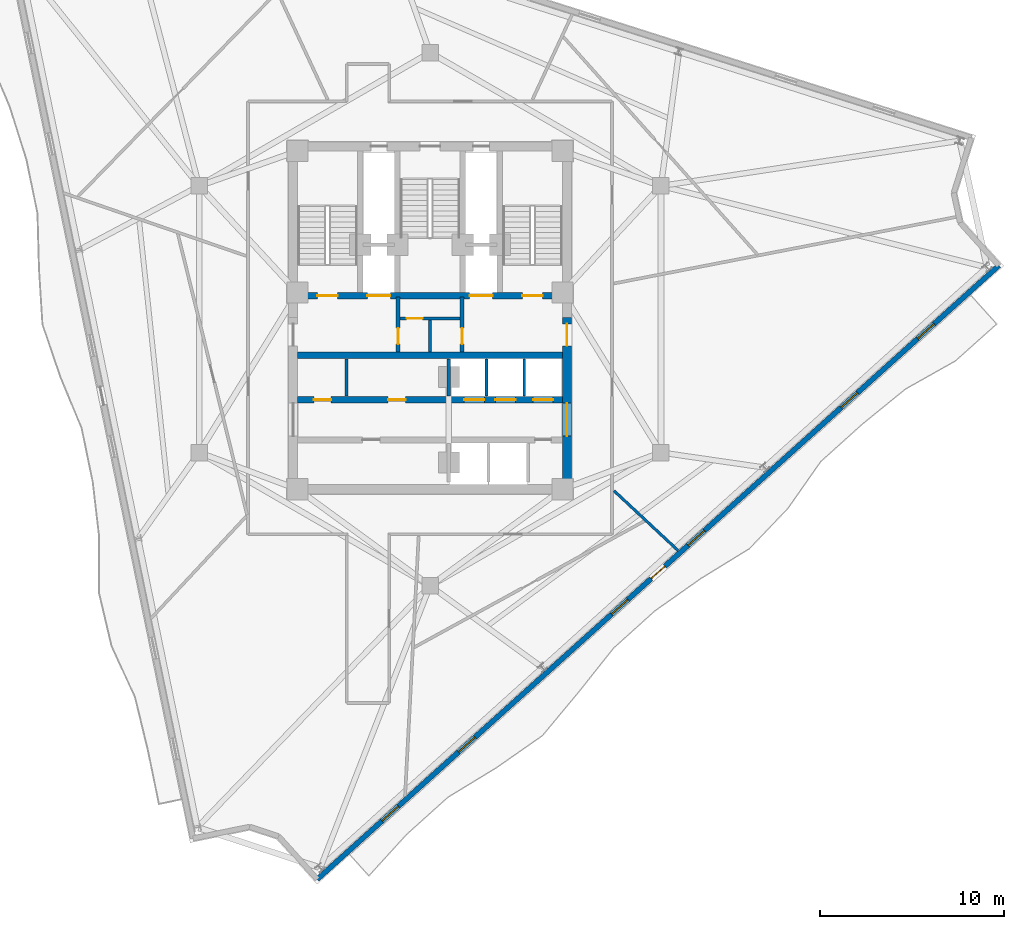
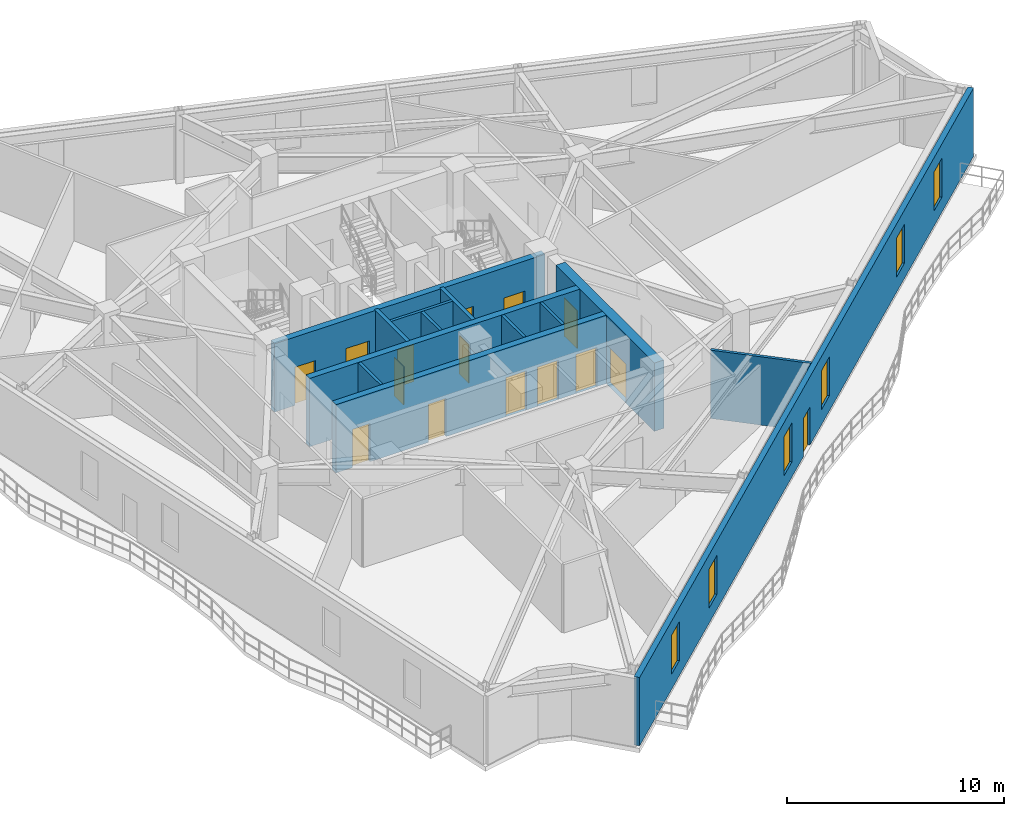
# One storey, part 6 of 11: 15 doors, 14 walls, 6 windows, 21 openings.
"""IFC4 building model written with IfcOpenShell, lengths in metres."""

from ifc_helpers import new_model, si_unit, direction, frame, frame_2d, origin, place, context, subcontext, project, spatial, rectangle, extrude, material, layer, layer_set, type_object, element, fill, save


model = new_model("IFC4")

# Units and contexts
model_context = context("Model", 3, precision=1e-05, world=origin(), true_north=direction((0.0, 1.0)))
body_context = subcontext(model_context, "Body", "Model", "MODEL_VIEW")
ifc_project = project(units=[si_unit("LENGTHUNIT", "METRE"), si_unit("AREAUNIT", "SQUARE_METRE"), si_unit("VOLUMEUNIT", "CUBIC_METRE"), si_unit("PLANEANGLEUNIT", "RADIAN"), si_unit("MASSUNIT", "GRAM", prefix="KILO")], contexts=[model_context])

# Site, building, storey
site_placement = place(None, origin())
site = spatial("IfcSite", under=ifc_project, at=site_placement, CompositionType="ELEMENT")
building_placement = place(site_placement, origin())
building = spatial("IfcBuilding", under=site, at=building_placement, Name="Apsidion Concourse Tower", CompositionType="ELEMENT")
storey_placement = place(building_placement, frame((0.0, 0.0, 244.5)))
storey = spatial("IfcBuildingStorey", under=building, at=storey_placement, Name="L57", CompositionType="ELEMENT", Elevation=244.5)

# Wall, openings, door, windows
ifc_material_1 = material(Name="Precast concrete C40/50", Category="concrete")
ifc_layer_1 = layer(ifc_material_1, 0.280029296875)
ifc_layer_set_1 = layer_set([ifc_layer_1], Name="Precast concrete C40/50")
wall_type_1 = type_object("IfcWallType", Name="WL-EXT-280", PredefinedType="STANDARD", material=ifc_layer_set_1)
wall_1_placement = place(storey_placement, frame((30.9345703125, 2.915771484375, 0.0), z_axis=(0.0, 0.0, 1.0), x_axis=(-0.743143233829, -0.66913237406, 0.0)))
wall_1 = element("IfcWall", 1, at=wall_1_placement, inside=storey, type_object=wall_type_1, Name="L57 Precast Stone Facade Wall 05", PredefinedType="STANDARD", context=body_context, shape_type="SweptSolid", body=[
    extrude(rectangle(XDim=49.8798828125, YDim=0.280029296875, at=frame_2d((24.93994140625, 0.0))), origin(), (0.0, 0.0, 1.0), 3.85009765625),
])
opening_1_placement = place(wall_1_placement, frame((24.43994140625, 0.0, 0.0)))
opening_1 = element("IfcOpeningElement", 2, at=opening_1_placement, cuts=wall_1, Name="Opening D-T1L", PredefinedType="OPENING", context=body_context, shape_type="SweptSolid", body=[
    extrude(rectangle(XDim=1.0, YDim=2.14990234375, at=frame_2d((0.5, 1.074951171875))), frame((0.0, 0.14990234375, 0.0), z_axis=(0.0, -1.0, 0.0), x_axis=(1.0, 0.0, 0.0)), (0.0, 0.0, 1.0), 0.300048828125),
])
opening_2_placement = place(wall_1_placement, frame((4.739990234375, 0.0, 0.85009765625)))
opening_2 = element("IfcOpeningElement", 3, at=opening_2_placement, cuts=wall_1, Name="Opening WN-06", PredefinedType="OPENING", context=body_context, shape_type="SweptSolid", body=[
    extrude(rectangle(XDim=1.199951171875, YDim=2.199951171875, at=frame_2d((0.60009765625, 1.10009765625))), frame((0.0, 0.14990234375, 0.0), z_axis=(0.0, -1.0, 0.0), x_axis=(1.0, 0.0, 0.0)), (0.0, 0.0, 1.0), 0.300048828125),
])
opening_3_placement = place(wall_1_placement, frame((10.33984375, 0.0, 0.85009765625)))
opening_3 = element("IfcOpeningElement", 4, at=opening_3_placement, cuts=wall_1, Name="Opening WN-06", PredefinedType="OPENING", context=body_context, shape_type="SweptSolid", body=[
    extrude(rectangle(XDim=1.199951171875, YDim=2.199951171875, at=frame_2d((0.60009765625, 1.10009765625))), frame((0.0, 0.14990234375, 0.0), z_axis=(0.0, -1.0, 0.0), x_axis=(1.0, 0.0, 0.0)), (0.0, 0.0, 1.0), 0.300048828125),
])
opening_4_placement = place(wall_1_placement, frame((21.539794921875, 0.0, 0.85009765625)))
opening_4 = element("IfcOpeningElement", 5, at=opening_4_placement, cuts=wall_1, Name="Opening WN-06", PredefinedType="OPENING", context=body_context, shape_type="SweptSolid", body=[
    extrude(rectangle(XDim=1.199951171875, YDim=2.199951171875, at=frame_2d((0.60009765625, 1.10009765625))), frame((0.0, 0.14990234375, 0.0), z_axis=(0.0, -1.0, 0.0), x_axis=(1.0, 0.0, 0.0)), (0.0, 0.0, 1.0), 0.300048828125),
])
opening_5_placement = place(wall_1_placement, frame((27.139892578125, 0.0, 0.85009765625)))
opening_5 = element("IfcOpeningElement", 6, at=opening_5_placement, cuts=wall_1, Name="Opening WN-06", PredefinedType="OPENING", context=body_context, shape_type="SweptSolid", body=[
    extrude(rectangle(XDim=1.199951171875, YDim=2.199951171875, at=frame_2d((0.60009765625, 1.10009765625))), frame((0.0, 0.14990234375, 0.0), z_axis=(0.0, -1.0, 0.0), x_axis=(1.0, 0.0, 0.0)), (0.0, 0.0, 1.0), 0.300048828125),
])
opening_6_placement = place(wall_1_placement, frame((38.33984375, 0.0, 0.85009765625)))
opening_6 = element("IfcOpeningElement", 7, at=opening_6_placement, cuts=wall_1, Name="Opening WN-06", PredefinedType="OPENING", context=body_context, shape_type="SweptSolid", body=[
    extrude(rectangle(XDim=1.199951171875, YDim=2.199951171875, at=frame_2d((0.60009765625, 1.10009765625))), frame((0.0, 0.14990234375, 0.0), z_axis=(0.0, -1.0, 0.0), x_axis=(1.0, 0.0, 0.0)), (0.0, 0.0, 1.0), 0.300048828125),
])
opening_7_placement = place(wall_1_placement, frame((43.93994140625, 0.0, 0.85009765625)))
opening_7 = element("IfcOpeningElement", 8, at=opening_7_placement, cuts=wall_1, Name="Opening WN-06", PredefinedType="OPENING", context=body_context, shape_type="SweptSolid", body=[
    extrude(rectangle(XDim=1.199951171875, YDim=2.199951171875, at=frame_2d((0.60009765625, 1.10009765625))), frame((0.0, 0.14990234375, 0.0), z_axis=(0.0, -1.0, 0.0), x_axis=(1.0, 0.0, 0.0)), (0.0, 0.0, 1.0), 0.300048828125),
])
ifc_material_2 = material(Name="Anodised aluminium EN AW-6063 T6", Category="aluminium")
door_type_1 = type_object("IfcDoorType", Name="DR-TER-1022L", OperationType="SINGLE_SWING_LEFT", PredefinedType="DOOR", material=ifc_material_2)
door_1_placement = place(opening_1_placement, origin())
door_1 = element("IfcDoor", 9, at=door_1_placement, inside=storey, type_object=door_type_1, Name="L57 Balcony Access Door 2", OperationType="SINGLE_SWING_LEFT", OverallHeight=2.14990234375, OverallWidth=1.0, PredefinedType="DOOR", context=body_context, shape_type="SweptSolid", body=[
    extrude(rectangle(XDim=1.0, YDim=2.14990234375, at=frame_2d((0.5, 1.074951171875))), frame((0.0, 0.02490234375, 0.0), z_axis=(0.0, -1.0, 0.0), x_axis=(1.0, 0.0, 0.0)), (0.0, 0.0, 1.0), 0.050048828125),
])
fill(opening_1, door_1)
ifc_material_3 = material(Name="Insulated laminated low-E glass", Category="glass")
window_type = type_object("IfcWindowType", Name="WN-OFF-1224", PartitioningType="SINGLE_PANEL", PredefinedType="WINDOW", material=ifc_material_3)
window_1_placement = place(opening_2_placement, origin())
window_1 = element("IfcWindow", 10, at=window_1_placement, inside=storey, type_object=window_type, Name="L57 Punched Facade Window 5-01", OverallHeight=2.199951171875, OverallWidth=1.199951171875, PartitioningType="SINGLE_PANEL", PredefinedType="WINDOW", context=body_context, shape_type="SweptSolid", body=[
    extrude(rectangle(XDim=1.199951171875, YDim=2.199951171875, at=frame_2d((0.60009765625, 1.10009765625))), frame((0.0, 0.030029296875, 0.0), z_axis=(0.0, -1.0, 0.0), x_axis=(1.0, 0.0, 0.0)), (0.0, 0.0, 1.0), 0.06005859375),
])
fill(opening_2, window_1)
window_2_placement = place(opening_3_placement, origin())
window_2 = element("IfcWindow", 11, at=window_2_placement, inside=storey, type_object=window_type, Name="L57 Punched Facade Window 5-02", OverallHeight=2.199951171875, OverallWidth=1.199951171875, PartitioningType="SINGLE_PANEL", PredefinedType="WINDOW", context=body_context, shape_type="SweptSolid", body=[
    extrude(rectangle(XDim=1.199951171875, YDim=2.199951171875, at=frame_2d((0.60009765625, 1.10009765625))), frame((0.0, 0.030029296875, 0.0), z_axis=(0.0, -1.0, 0.0), x_axis=(1.0, 0.0, 0.0)), (0.0, 0.0, 1.0), 0.06005859375),
])
fill(opening_3, window_2)
window_3_placement = place(opening_4_placement, origin())
window_3 = element("IfcWindow", 12, at=window_3_placement, inside=storey, type_object=window_type, Name="L57 Punched Facade Window 5-04", OverallHeight=2.199951171875, OverallWidth=1.199951171875, PartitioningType="SINGLE_PANEL", PredefinedType="WINDOW", context=body_context, shape_type="SweptSolid", body=[
    extrude(rectangle(XDim=1.199951171875, YDim=2.199951171875, at=frame_2d((0.60009765625, 1.10009765625))), frame((0.0, 0.030029296875, 0.0), z_axis=(0.0, -1.0, 0.0), x_axis=(1.0, 0.0, 0.0)), (0.0, 0.0, 1.0), 0.06005859375),
])
fill(opening_4, window_3)
window_4_placement = place(opening_5_placement, origin())
window_4 = element("IfcWindow", 13, at=window_4_placement, inside=storey, type_object=window_type, Name="L57 Punched Facade Window 5-05", OverallHeight=2.199951171875, OverallWidth=1.199951171875, PartitioningType="SINGLE_PANEL", PredefinedType="WINDOW", context=body_context, shape_type="SweptSolid", body=[
    extrude(rectangle(XDim=1.199951171875, YDim=2.199951171875, at=frame_2d((0.60009765625, 1.10009765625))), frame((0.0, 0.030029296875, 0.0), z_axis=(0.0, -1.0, 0.0), x_axis=(1.0, 0.0, 0.0)), (0.0, 0.0, 1.0), 0.06005859375),
])
fill(opening_5, window_4)
window_5_placement = place(opening_6_placement, origin())
window_5 = element("IfcWindow", 14, at=window_5_placement, inside=storey, type_object=window_type, Name="L57 Punched Facade Window 5-07", OverallHeight=2.199951171875, OverallWidth=1.199951171875, PartitioningType="SINGLE_PANEL", PredefinedType="WINDOW", context=body_context, shape_type="SweptSolid", body=[
    extrude(rectangle(XDim=1.199951171875, YDim=2.199951171875, at=frame_2d((0.60009765625, 1.10009765625))), frame((0.0, 0.030029296875, 0.0), z_axis=(0.0, -1.0, 0.0), x_axis=(1.0, 0.0, 0.0)), (0.0, 0.0, 1.0), 0.06005859375),
])
fill(opening_6, window_5)
window_6_placement = place(opening_7_placement, origin())
window_6 = element("IfcWindow", 15, at=window_6_placement, inside=storey, type_object=window_type, Name="L57 Punched Facade Window 5-08", OverallHeight=2.199951171875, OverallWidth=1.199951171875, PartitioningType="SINGLE_PANEL", PredefinedType="WINDOW", context=body_context, shape_type="SweptSolid", body=[
    extrude(rectangle(XDim=1.199951171875, YDim=2.199951171875, at=frame_2d((0.60009765625, 1.10009765625))), frame((0.0, 0.030029296875, 0.0), z_axis=(0.0, -1.0, 0.0), x_axis=(1.0, 0.0, 0.0)), (0.0, 0.0, 1.0), 0.06005859375),
])
fill(opening_7, window_6)

# Walls
ifc_material_4 = material(Name="Gypsum plasterboard partition")
ifc_layer_2 = layer(ifc_material_4, 0.14990234375)
ifc_layer_set_2 = layer_set([ifc_layer_2], Name="Gypsum plasterboard partition")
wall_type_2 = type_object("IfcWallType", Name="WL-INT-PAR-150", PredefinedType="PARTITIONING", material=ifc_layer_set_2)
for number, where, z_axis, x_axis, name in (
    (16, (-4.550048828125, -4.179931640625, 0.0), (0.0, 0.0, 1.0), (0.0, 1.0, 0.0), "L57 Interior Partition WL-L57-B1RV1"),
    (17, (3.074951171875, -4.179931640625, 0.0), (0.0, 0.0, 1.0), (0.0, 1.0, 0.0), "L57 Interior Partition WL-L57-B3DIV-1"),
    (18, (5.125, -4.179931640625, 0.0), (0.0, 0.0, 1.0), (0.0, 1.0, 0.0), "L57 Interior Partition WL-L57-B3DIV-2"),
):
    element("IfcWall", number, at=place(storey_placement, frame(where, z_axis=z_axis, x_axis=x_axis)), inside=storey, type_object=wall_type_2, Name=name, PredefinedType="PARTITIONING", context=body_context, shape_type="SweptSolid", body=[
        extrude(rectangle(XDim=2.030029296875, YDim=0.14990234375, at=frame_2d((1.01513671875, 0.0))), origin(), (0.0, 0.0, 1.0), 3.85009765625),
    ])

# Wall, opening, door
wall_2_placement = place(storey_placement, frame((-1.639892578125, 0.0400390625, 0.0), z_axis=(0.0, 0.0, 1.0), x_axis=(1.0, 0.0, 0.0)))
wall_2 = element("IfcWall", 19, at=wall_2_placement, inside=storey, type_object=wall_type_2, Name="L57 Interior Partition WL-L57-K4H", PredefinedType="PARTITIONING", context=body_context, shape_type="SweptSolid", body=[
    extrude(rectangle(XDim=3.27978515625, YDim=0.14990234375, at=frame_2d((1.639892578125, 0.0))), origin(), (0.0, 0.0, 1.0), 3.85009765625),
])
opening_8_placement = place(wall_2_placement, frame((0.360107421875, 0.0, 0.0)))
opening_8 = element("IfcOpeningElement", 20, at=opening_8_placement, cuts=wall_2, Name="Opening D-03L", PredefinedType="OPENING", context=body_context, shape_type="SweptSolid", body=[
    extrude(rectangle(XDim=0.8798828125, YDim=2.10009765625, at=frame_2d((0.43994140625, 1.050048828125))), frame((0.0, 0.0849609375, 0.0), z_axis=(0.0, -1.0, 0.0), x_axis=(1.0, 0.0, 0.0)), (0.0, 0.0, 1.0), 0.169921875),
])
door_type_2 = type_object("IfcDoorType", Name="DR-INT-D03L", OperationType="SINGLE_SWING_LEFT", PredefinedType="DOOR", material=ifc_material_2)
door_2_placement = place(opening_8_placement, origin())
door_2 = element("IfcDoor", 21, at=door_2_placement, inside=storey, type_object=door_type_2, Name="L57 Core Telecoms Door", OperationType="SINGLE_SWING_LEFT", OverallHeight=2.10009765625, OverallWidth=0.8798828125, PredefinedType="DOOR", context=body_context, shape_type="SweptSolid", body=[
    extrude(rectangle(XDim=0.8798828125, YDim=2.10009765625, at=frame_2d((0.43994140625, 1.050048828125))), frame((0.0, 0.02490234375, 0.0), z_axis=(0.0, -1.0, 0.0), x_axis=(1.0, 0.0, 0.0)), (0.0, 0.0, 1.0), 0.050048828125),
])
fill(opening_8, door_2)

# Walls
wall_3_placement = place(storey_placement, frame((0.0, -1.780029296875, 0.0), z_axis=(0.0, 0.0, 1.0), x_axis=(0.0, 1.0, 0.0)))
element("IfcWall", 22, at=wall_3_placement, inside=storey, type_object=wall_type_2, Name="L57 Interior Partition WL-L57-K4V", PredefinedType="PARTITIONING", context=body_context, shape_type="SweptSolid", body=[
    extrude(rectangle(XDim=1.72998046875, YDim=0.14990234375, at=frame_2d((0.864990234375, 0.0))), origin(), (0.0, 0.0, 1.0), 3.85009765625),
])
wall_4_placement = place(storey_placement, frame((10.0048828125, -9.329833984375, 0.0), z_axis=(0.0, 0.0, 1.0), x_axis=(0.731358310886, -0.681993417195, 0.0)))
element("IfcWall", 23, at=wall_4_placement, inside=storey, type_object=wall_type_2, Name="L57 Interior Partition WL-L57-RAD-07-1", PredefinedType="PARTITIONING", context=body_context, shape_type="SweptSolid", body=[
    extrude(rectangle(XDim=4.767578125, YDim=0.14990234375, at=frame_2d((2.3837890625, 0.0))), origin(), (0.0, 0.0, 1.0), 3.85009765625),
])
ifc_layer_3 = layer(ifc_material_4, 0.179931640625)
ifc_layer_set_3 = layer_set([ifc_layer_3], Name="Gypsum plasterboard partition")
wall_type_3 = type_object("IfcWallType", Name="WL-INT-PAR-180", PredefinedType="PARTITIONING", material=ifc_layer_set_3)
wall_5_placement = place(storey_placement, frame((1.02490234375, -4.179931640625, 0.0), z_axis=(0.0, 0.0, 1.0), x_axis=(0.0, 1.0, 0.0)))
element("IfcWall", 24, at=wall_5_placement, inside=storey, type_object=wall_type_3, Name="L57 Interior Partition WL-L57-B1END", PredefinedType="PARTITIONING", context=body_context, shape_type="SweptSolid", body=[
    extrude(rectangle(XDim=2.030029296875, YDim=0.179931640625, at=frame_2d((1.01513671875, 0.0))), origin(), (0.0, 0.0, 1.0), 2.89794921875),
])

# Wall, opening, door
ifc_layer_4 = layer(ifc_material_4, 0.199951171875)
ifc_layer_set_4 = layer_set([ifc_layer_4], Name="Gypsum plasterboard partition")
wall_type_4 = type_object("IfcWallType", Name="WL-INT-PAR-200", PredefinedType="PARTITIONING", material=ifc_layer_set_4)
wall_6_placement = place(storey_placement, frame((-1.739990234375, -1.780029296875, 0.0), z_axis=(0.0, 0.0, 1.0), x_axis=(0.0, 1.0, 0.0)))
wall_6 = element("IfcWall", 25, at=wall_6_placement, inside=storey, type_object=wall_type_4, Name="L57 Interior Partition WL-L57-FF1-E", PredefinedType="PARTITIONING", context=body_context, shape_type="SweptSolid", body=[
    extrude(rectangle(XDim=2.97998046875, YDim=0.199951171875, at=frame_2d((1.489990234375, 0.0))), origin(), (0.0, 0.0, 1.0), 3.85009765625),
])
opening_9_placement = place(wall_6_placement, frame((0.419921875, 0.0, 0.0)))
opening_9 = element("IfcOpeningElement", 26, at=opening_9_placement, cuts=wall_6, Name="Opening D-05R", PredefinedType="OPENING", context=body_context, shape_type="SweptSolid", body=[
    extrude(rectangle(XDim=0.8798828125, YDim=2.14990234375, at=frame_2d((0.43994140625, 1.074951171875))), frame((0.0, 0.10986328125, 0.0), z_axis=(0.0, -1.0, 0.0), x_axis=(1.0, 0.0, 0.0)), (0.0, 0.0, 1.0), 0.219970703125),
])
ifc_material_5 = material(Name="Brushed stainless steel 316", Category="steel")
door_type_3 = type_object("IfcDoorType", Name="DR-INT-D05R", OperationType="SINGLE_SWING_RIGHT", PredefinedType="DOOR", material=ifc_material_5)
door_3_placement = place(opening_9_placement, origin())
door_3 = element("IfcDoor", 27, at=door_3_placement, inside=storey, type_object=door_type_3, Name="L57 Core Switch Room Door", OperationType="SINGLE_SWING_RIGHT", OverallHeight=2.14990234375, OverallWidth=0.8798828125, PredefinedType="DOOR", context=body_context, shape_type="SweptSolid", body=[
    extrude(rectangle(XDim=0.8798828125, YDim=2.14990234375, at=frame_2d((0.43994140625, 1.074951171875))), frame((0.0, 0.02490234375, 0.0), z_axis=(0.0, -1.0, 0.0), x_axis=(1.0, 0.0, 0.0)), (0.0, 0.0, 1.0), 0.050048828125),
])
fill(opening_9, door_3)

wall_7_placement = place(storey_placement, frame((1.739990234375, -1.780029296875, 0.0), z_axis=(0.0, 0.0, 1.0), x_axis=(0.0, 1.0, 0.0)))
wall_7 = element("IfcWall", 28, at=wall_7_placement, inside=storey, type_object=wall_type_4, Name="L57 Interior Partition WL-L57-FF2-W", PredefinedType="PARTITIONING", context=body_context, shape_type="SweptSolid", body=[
    extrude(rectangle(XDim=2.97998046875, YDim=0.199951171875, at=frame_2d((1.489990234375, 0.0))), origin(), (0.0, 0.0, 1.0), 3.85009765625),
])
opening_10_placement = place(wall_7_placement, frame((0.419921875, 0.0, 0.0)))
opening_10 = element("IfcOpeningElement", 29, at=opening_10_placement, cuts=wall_7, Name="Opening D-05L", PredefinedType="OPENING", context=body_context, shape_type="SweptSolid", body=[
    extrude(rectangle(XDim=0.8798828125, YDim=2.14990234375, at=frame_2d((0.43994140625, 1.074951171875))), frame((0.0, 0.10986328125, 0.0), z_axis=(0.0, -1.0, 0.0), x_axis=(1.0, 0.0, 0.0)), (0.0, 0.0, 1.0), 0.219970703125),
])
door_type_4 = type_object("IfcDoorType", Name="DR-INT-D05L", OperationType="SINGLE_SWING_LEFT", PredefinedType="DOOR", material=ifc_material_5)
door_4_placement = place(opening_10_placement, origin())
door_4 = element("IfcDoor", 30, at=door_4_placement, inside=storey, type_object=door_type_4, Name="L57 Core First Aid Door", OperationType="SINGLE_SWING_LEFT", OverallHeight=2.14990234375, OverallWidth=0.8798828125, PredefinedType="DOOR", context=body_context, shape_type="SweptSolid", body=[
    extrude(rectangle(XDim=0.8798828125, YDim=2.14990234375, at=frame_2d((0.43994140625, 1.074951171875))), frame((0.0, 0.02490234375, 0.0), z_axis=(0.0, -1.0, 0.0), x_axis=(1.0, 0.0, 0.0)), (0.0, 0.0, 1.0), 0.050048828125),
])
fill(opening_10, door_4)

# Wall, openings, doors
ifc_material_6 = material(Name="Concrete C50/60", Category="concrete")
ifc_layer_5 = layer(ifc_material_6, 0.35009765625)
ifc_layer_set_5 = layer_set([ifc_layer_5], Name="Concrete C50/60")
wall_type_5 = type_object("IfcWallType", Name="WL-SH-350", PredefinedType="SHEAR", material=ifc_layer_set_5)
wall_8_placement = place(storey_placement, frame((-7.199951171875, 1.27490234375, 0.0), z_axis=(0.0, 0.0, 1.0), x_axis=(1.0, 0.0, 0.0)))
wall_8 = element("IfcWall", 31, at=wall_8_placement, inside=storey, type_object=wall_type_5, Name="L57 Central Core Shear Wall M1", PredefinedType="SHEAR", context=body_context, shape_type="SweptSolid", body=[
    extrude(rectangle(XDim=14.39990234375, YDim=0.35009765625, at=frame_2d((7.199951171875, 0.0))), origin(), (0.0, 0.0, 1.0), 3.85009765625),
])
opening_11_placement = place(wall_8_placement, frame((3.794921875, 0.0, 0.0)))
opening_11 = element("IfcOpeningElement", 32, at=opening_11_placement, cuts=wall_8, Name="Opening LD-FF", PredefinedType="OPENING", context=body_context, shape_type="SweptSolid", body=[
    extrude(rectangle(XDim=1.25, YDim=2.25, at=frame_2d((0.625, 1.125))), frame((0.0, 0.18505859375, 0.0), z_axis=(0.0, -1.0, 0.0), x_axis=(1.0, 0.0, 0.0)), (0.0, 0.0, 1.0), 0.3701171875),
])
opening_12_placement = place(wall_8_placement, frame((9.35498046875, 0.0, 0.0)))
opening_12 = element("IfcOpeningElement", 33, at=opening_12_placement, cuts=wall_8, Name="Opening LD-FF", PredefinedType="OPENING", context=body_context, shape_type="SweptSolid", body=[
    extrude(rectangle(XDim=1.25, YDim=2.25, at=frame_2d((0.625, 1.125))), frame((0.0, 0.18505859375, 0.0), z_axis=(0.0, -1.0, 0.0), x_axis=(1.0, 0.0, 0.0)), (0.0, 0.0, 1.0), 0.3701171875),
])
opening_13_placement = place(wall_8_placement, frame((1.074951171875, 0.0, 0.0)))
opening_13 = element("IfcOpeningElement", 34, at=opening_13_placement, cuts=wall_8, Name="Opening D-STL", PredefinedType="OPENING", context=body_context, shape_type="SweptSolid", body=[
    extrude(rectangle(XDim=1.10009765625, YDim=2.14990234375, at=frame_2d((0.550048828125, 1.074951171875))), frame((0.0, 0.18505859375, 0.0), z_axis=(0.0, -1.0, 0.0), x_axis=(1.0, 0.0, 0.0)), (0.0, 0.0, 1.0), 0.3701171875),
])
opening_14_placement = place(wall_8_placement, frame((12.22509765625, 0.0, 0.0)))
opening_14 = element("IfcOpeningElement", 35, at=opening_14_placement, cuts=wall_8, Name="Opening D-STR", PredefinedType="OPENING", context=body_context, shape_type="SweptSolid", body=[
    extrude(rectangle(XDim=1.10009765625, YDim=2.14990234375, at=frame_2d((0.550048828125, 1.074951171875))), frame((0.0, 0.18505859375, 0.0), z_axis=(0.0, -1.0, 0.0), x_axis=(1.0, 0.0, 0.0)), (0.0, 0.0, 1.0), 0.3701171875),
])
door_type_5 = type_object("IfcDoorType", Name="DR-INT-ST1L", OperationType="SINGLE_SWING_LEFT", PredefinedType="DOOR", material=ifc_material_5)
door_5_placement = place(opening_13_placement, origin())
door_5 = element("IfcDoor", 36, at=door_5_placement, inside=storey, type_object=door_type_5, Name="L57 Core Exit Stair ST1 Door", OperationType="SINGLE_SWING_LEFT", OverallHeight=2.14990234375, OverallWidth=1.10009765625, PredefinedType="DOOR", context=body_context, shape_type="SweptSolid", body=[
    extrude(rectangle(XDim=1.10009765625, YDim=2.14990234375, at=frame_2d((0.550048828125, 1.074951171875))), frame((0.0, 0.02490234375, 0.0), z_axis=(0.0, -1.0, 0.0), x_axis=(1.0, 0.0, 0.0)), (0.0, 0.0, 1.0), 0.050048828125),
])
fill(opening_13, door_5)
door_type_6 = type_object("IfcDoorType", Name="DR-INT-ST1R", OperationType="SINGLE_SWING_RIGHT", PredefinedType="DOOR", material=ifc_material_5)
door_6_placement = place(opening_14_placement, origin())
door_6 = element("IfcDoor", 37, at=door_6_placement, inside=storey, type_object=door_type_6, Name="L57 Core Exit Stair ST2 Door", OperationType="SINGLE_SWING_RIGHT", OverallHeight=2.14990234375, OverallWidth=1.10009765625, PredefinedType="DOOR", context=body_context, shape_type="SweptSolid", body=[
    extrude(rectangle(XDim=1.10009765625, YDim=2.14990234375, at=frame_2d((0.550048828125, 1.074951171875))), frame((0.0, 0.02490234375, 0.0), z_axis=(0.0, -1.0, 0.0), x_axis=(1.0, 0.0, 0.0)), (0.0, 0.0, 1.0), 0.050048828125),
])
fill(opening_14, door_6)
door_type_7 = type_object("IfcDoorType", Name="DR-LD-FSAE", OperationType="DOUBLE_DOOR_SLIDING", PredefinedType="DOOR", material=ifc_material_5)
door_7_placement = place(opening_11_placement, origin())
door_7 = element("IfcDoor", 38, at=door_7_placement, inside=storey, type_object=door_type_7, Name="L57 Lift Landing Door FF1", OperationType="DOUBLE_DOOR_SLIDING", OverallHeight=2.25, OverallWidth=1.25, PredefinedType="DOOR", context=body_context, shape_type="SweptSolid", body=[
    extrude(rectangle(XDim=1.25, YDim=2.25, at=frame_2d((0.625, 1.125))), frame((0.0, 0.02490234375, 0.0), z_axis=(0.0, -1.0, 0.0), x_axis=(1.0, 0.0, 0.0)), (0.0, 0.0, 1.0), 0.050048828125),
])
fill(opening_11, door_7)
door_8_placement = place(opening_12_placement, origin())
door_8 = element("IfcDoor", 39, at=door_8_placement, inside=storey, type_object=door_type_7, Name="L57 Lift Landing Door FF2", OperationType="DOUBLE_DOOR_SLIDING", OverallHeight=2.25, OverallWidth=1.25, PredefinedType="DOOR", context=body_context, shape_type="SweptSolid", body=[
    extrude(rectangle(XDim=1.25, YDim=2.25, at=frame_2d((0.625, 1.125))), frame((0.0, 0.02490234375, 0.0), z_axis=(0.0, -1.0, 0.0), x_axis=(1.0, 0.0, 0.0)), (0.0, 0.0, 1.0), 0.050048828125),
])
fill(opening_12, door_8)

# Wall
wall_9_placement = place(storey_placement, frame((-7.199951171875, -1.949951171875, 0.0), z_axis=(0.0, 0.0, 1.0), x_axis=(1.0, 0.0, 0.0)))
element("IfcWall", 40, at=wall_9_placement, inside=storey, type_object=wall_type_5, Name="L57 Central Core Shear Wall M2", PredefinedType="SHEAR", context=body_context, shape_type="SweptSolid", body=[
    extrude(rectangle(XDim=14.39990234375, YDim=0.35009765625, at=frame_2d((7.199951171875, 0.0))), origin(), (0.0, 0.0, 1.0), 3.85009765625),
])

# Wall, openings, doors
wall_10_placement = place(storey_placement, frame((-7.199951171875, -4.3798828125, 0.0), z_axis=(0.0, 0.0, 1.0), x_axis=(1.0, 0.0, 0.0)))
wall_10 = element("IfcWall", 41, at=wall_10_placement, inside=storey, type_object=wall_type_5, Name="L57 Central Core Shear Wall LA", PredefinedType="SHEAR", context=body_context, shape_type="SweptSolid", body=[
    extrude(rectangle(XDim=14.39990234375, YDim=0.35009765625, at=frame_2d((7.199951171875, 0.0))), origin(), (0.0, 0.0, 1.0), 3.85009765625),
])
opening_15_placement = place(wall_10_placement, frame((9.050048828125, 0.0, 0.0)))
opening_15 = element("IfcOpeningElement", 42, at=opening_15_placement, cuts=wall_10, Name="Opening LD-P1", PredefinedType="OPENING", context=body_context, shape_type="SweptSolid", body=[
    extrude(rectangle(XDim=1.10009765625, YDim=2.199951171875, at=frame_2d((0.550048828125, 1.10009765625))), frame((0.0, 0.18505859375, 0.0), z_axis=(0.0, -1.0, 0.0), x_axis=(1.0, 0.0, 0.0)), (0.0, 0.0, 1.0), 0.3701171875),
])
opening_16_placement = place(wall_10_placement, frame((10.75, 0.0, 0.0)))
opening_16 = element("IfcOpeningElement", 43, at=opening_16_placement, cuts=wall_10, Name="Opening LD-P1", PredefinedType="OPENING", context=body_context, shape_type="SweptSolid", body=[
    extrude(rectangle(XDim=1.10009765625, YDim=2.199951171875, at=frame_2d((0.550048828125, 1.10009765625))), frame((0.0, 0.18505859375, 0.0), z_axis=(0.0, -1.0, 0.0), x_axis=(1.0, 0.0, 0.0)), (0.0, 0.0, 1.0), 0.3701171875),
])
opening_17_placement = place(wall_10_placement, frame((12.800048828125, 0.0, 0.0)))
opening_17 = element("IfcOpeningElement", 44, at=opening_17_placement, cuts=wall_10, Name="Opening LD-P1", PredefinedType="OPENING", context=body_context, shape_type="SweptSolid", body=[
    extrude(rectangle(XDim=1.10009765625, YDim=2.199951171875, at=frame_2d((0.550048828125, 1.10009765625))), frame((0.0, 0.18505859375, 0.0), z_axis=(0.0, -1.0, 0.0), x_axis=(1.0, 0.0, 0.0)), (0.0, 0.0, 1.0), 0.3701171875),
])
opening_18_placement = place(wall_10_placement, frame((0.875, 0.0, 0.0)))
opening_18 = element("IfcOpeningElement", 45, at=opening_18_placement, cuts=wall_10, Name="Opening D-04L", PredefinedType="OPENING", context=body_context, shape_type="SweptSolid", body=[
    extrude(rectangle(XDim=0.949951171875, YDim=2.14990234375, at=frame_2d((0.47509765625, 1.074951171875))), frame((0.0, 0.18505859375, 0.0), z_axis=(0.0, -1.0, 0.0), x_axis=(1.0, 0.0, 0.0)), (0.0, 0.0, 1.0), 0.3701171875),
])
opening_19_placement = place(wall_10_placement, frame((4.925048828125, 0.0, 0.0)))
opening_19 = element("IfcOpeningElement", 46, at=opening_19_placement, cuts=wall_10, Name="Opening D-04R", PredefinedType="OPENING", context=body_context, shape_type="SweptSolid", body=[
    extrude(rectangle(XDim=0.949951171875, YDim=2.14990234375, at=frame_2d((0.47509765625, 1.074951171875))), frame((0.0, 0.18505859375, 0.0), z_axis=(0.0, -1.0, 0.0), x_axis=(1.0, 0.0, 0.0)), (0.0, 0.0, 1.0), 0.3701171875),
])
door_type_8 = type_object("IfcDoorType", Name="DR-INT-D04L", OperationType="SINGLE_SWING_LEFT", PredefinedType="DOOR", material=ifc_material_5)
door_9_placement = place(opening_18_placement, origin())
door_9 = element("IfcDoor", 47, at=door_9_placement, inside=storey, type_object=door_type_8, Name="L57 Core Supply Store Door", OperationType="SINGLE_SWING_LEFT", OverallHeight=2.14990234375, OverallWidth=0.949951171875, PredefinedType="DOOR", context=body_context, shape_type="SweptSolid", body=[
    extrude(rectangle(XDim=0.949951171875, YDim=2.14990234375, at=frame_2d((0.47509765625, 1.074951171875))), frame((0.0, 0.02490234375, 0.0), z_axis=(0.0, -1.0, 0.0), x_axis=(1.0, 0.0, 0.0)), (0.0, 0.0, 1.0), 0.050048828125),
])
fill(opening_18, door_9)
door_type_9 = type_object("IfcDoorType", Name="DR-INT-D04R", OperationType="SINGLE_SWING_RIGHT", PredefinedType="DOOR", material=ifc_material_5)
door_10_placement = place(opening_19_placement, origin())
door_10 = element("IfcDoor", 48, at=door_10_placement, inside=storey, type_object=door_type_9, Name="L57 Core Data and Print Room Door", OperationType="SINGLE_SWING_RIGHT", OverallHeight=2.14990234375, OverallWidth=0.949951171875, PredefinedType="DOOR", context=body_context, shape_type="SweptSolid", body=[
    extrude(rectangle(XDim=0.949951171875, YDim=2.14990234375, at=frame_2d((0.47509765625, 1.074951171875))), frame((0.0, 0.02490234375, 0.0), z_axis=(0.0, -1.0, 0.0), x_axis=(1.0, 0.0, 0.0)), (0.0, 0.0, 1.0), 0.050048828125),
])
fill(opening_19, door_10)
door_type_10 = type_object("IfcDoorType", Name="DR-LD-PASS", OperationType="DOUBLE_DOOR_SLIDING", PredefinedType="DOOR", material=ifc_material_5)
door_11_placement = place(opening_15_placement, origin())
door_11 = element("IfcDoor", 49, at=door_11_placement, inside=storey, type_object=door_type_10, Name="L57 Lift Landing Door P9", OperationType="DOUBLE_DOOR_SLIDING", OverallHeight=2.199951171875, OverallWidth=1.10009765625, PredefinedType="DOOR", context=body_context, shape_type="SweptSolid", body=[
    extrude(rectangle(XDim=1.10009765625, YDim=2.199951171875, at=frame_2d((0.550048828125, 1.10009765625))), frame((0.0, 0.02490234375, 0.0), z_axis=(0.0, -1.0, 0.0), x_axis=(1.0, 0.0, 0.0)), (0.0, 0.0, 1.0), 0.050048828125),
])
fill(opening_15, door_11)
door_12_placement = place(opening_16_placement, origin())
door_12 = element("IfcDoor", 50, at=door_12_placement, inside=storey, type_object=door_type_10, Name="L57 Lift Landing Door P10", OperationType="DOUBLE_DOOR_SLIDING", OverallHeight=2.199951171875, OverallWidth=1.10009765625, PredefinedType="DOOR", context=body_context, shape_type="SweptSolid", body=[
    extrude(rectangle(XDim=1.10009765625, YDim=2.199951171875, at=frame_2d((0.550048828125, 1.10009765625))), frame((0.0, 0.02490234375, 0.0), z_axis=(0.0, -1.0, 0.0), x_axis=(1.0, 0.0, 0.0)), (0.0, 0.0, 1.0), 0.050048828125),
])
fill(opening_16, door_12)
door_13_placement = place(opening_17_placement, origin())
door_13 = element("IfcDoor", 51, at=door_13_placement, inside=storey, type_object=door_type_10, Name="L57 Lift Landing Door P11", OperationType="DOUBLE_DOOR_SLIDING", OverallHeight=2.199951171875, OverallWidth=1.10009765625, PredefinedType="DOOR", context=body_context, shape_type="SweptSolid", body=[
    extrude(rectangle(XDim=1.10009765625, YDim=2.199951171875, at=frame_2d((0.550048828125, 1.10009765625))), frame((0.0, 0.02490234375, 0.0), z_axis=(0.0, -1.0, 0.0), x_axis=(1.0, 0.0, 0.0)), (0.0, 0.0, 1.0), 0.050048828125),
])
fill(opening_17, door_13)

ifc_layer_6 = layer(ifc_material_6, 0.5)
ifc_layer_set_6 = layer_set([ifc_layer_6], Name="Concrete C50/60")
wall_type_6 = type_object("IfcWallType", Name="WL-SH-500", PredefinedType="SHEAR", material=ifc_layer_set_6)
wall_11_placement = place(storey_placement, frame((7.449951171875, -9.0, 0.0), z_axis=(0.0, 0.0, 1.0), x_axis=(0.0, 1.0, 0.0)))
wall_11 = element("IfcWall", 52, at=wall_11_placement, inside=storey, type_object=wall_type_6, Name="L57 Central Core Shear Wall ES", PredefinedType="SHEAR", context=body_context, shape_type="SweptSolid", body=[
    extrude(rectangle(XDim=9.10009765625, YDim=0.5, at=frame_2d((4.550048828125, 0.0))), origin(), (0.0, 0.0, 1.0), 3.85009765625),
])
opening_20_placement = place(wall_11_placement, frame((2.639892578125, 0.0, 0.0)))
opening_20 = element("IfcOpeningElement", 53, at=opening_20_placement, cuts=wall_11, Name="Opening D-06D", PredefinedType="OPENING", context=body_context, shape_type="SweptSolid", body=[
    extrude(rectangle(XDim=1.800048828125, YDim=2.199951171875, at=frame_2d((0.89990234375, 1.10009765625))), frame((0.0, 0.260009765625, 0.0), z_axis=(0.0, -1.0, 0.0), x_axis=(1.0, 0.0, 0.0)), (0.0, 0.0, 1.0), 0.52001953125),
])
opening_21_placement = place(wall_11_placement, frame((7.550048828125, 0.0, 0.0)))
opening_21 = element("IfcOpeningElement", 54, at=opening_21_placement, cuts=wall_11, Name="Opening D-FFR", PredefinedType="OPENING", context=body_context, shape_type="SweptSolid", body=[
    extrude(rectangle(XDim=1.199951171875, YDim=2.14990234375, at=frame_2d((0.60009765625, 1.074951171875))), frame((0.0, 0.260009765625, 0.0), z_axis=(0.0, -1.0, 0.0), x_axis=(1.0, 0.0, 0.0)), (0.0, 0.0, 1.0), 0.52001953125),
])
door_type_11 = type_object("IfcDoorType", Name="DR-INT-D06D", OperationType="DOUBLE_DOOR_SINGLE_SWING", PredefinedType="DOOR", material=ifc_material_5)
door_14_placement = place(opening_20_placement, origin())
door_14 = element("IfcDoor", 55, at=door_14_placement, inside=storey, type_object=door_type_11, Name="L57 Passenger Lift Lobby ES Portal Door", OperationType="DOUBLE_DOOR_SINGLE_SWING", OverallHeight=2.199951171875, OverallWidth=1.800048828125, PredefinedType="DOOR", context=body_context, shape_type="SweptSolid", body=[
    extrude(rectangle(XDim=1.800048828125, YDim=2.199951171875, at=frame_2d((0.89990234375, 1.10009765625))), frame((0.0, 0.02490234375, 0.0), z_axis=(0.0, -1.0, 0.0), x_axis=(1.0, 0.0, 0.0)), (0.0, 0.0, 1.0), 0.050048828125),
])
fill(opening_20, door_14)
door_type_12 = type_object("IfcDoorType", Name="DR-INT-FFR", OperationType="SINGLE_SWING_RIGHT", PredefinedType="DOOR", material=ifc_material_5)
door_15_placement = place(opening_21_placement, origin())
door_15 = element("IfcDoor", 56, at=door_15_placement, inside=storey, type_object=door_type_12, Name="L57 Firefighting Lift Lobby FF2 Door", OperationType="SINGLE_SWING_RIGHT", OverallHeight=2.14990234375, OverallWidth=1.199951171875, PredefinedType="DOOR", context=body_context, shape_type="SweptSolid", body=[
    extrude(rectangle(XDim=1.199951171875, YDim=2.14990234375, at=frame_2d((0.60009765625, 1.074951171875))), frame((0.0, 0.02490234375, 0.0), z_axis=(0.0, -1.0, 0.0), x_axis=(1.0, 0.0, 0.0)), (0.0, 0.0, 1.0), 0.050048828125),
])
fill(opening_21, door_15)

save(model, "model.ifc")
